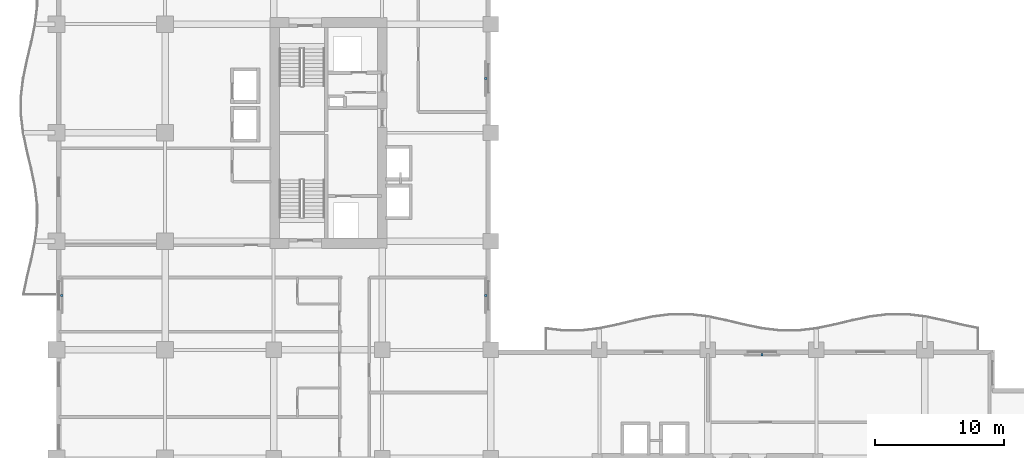
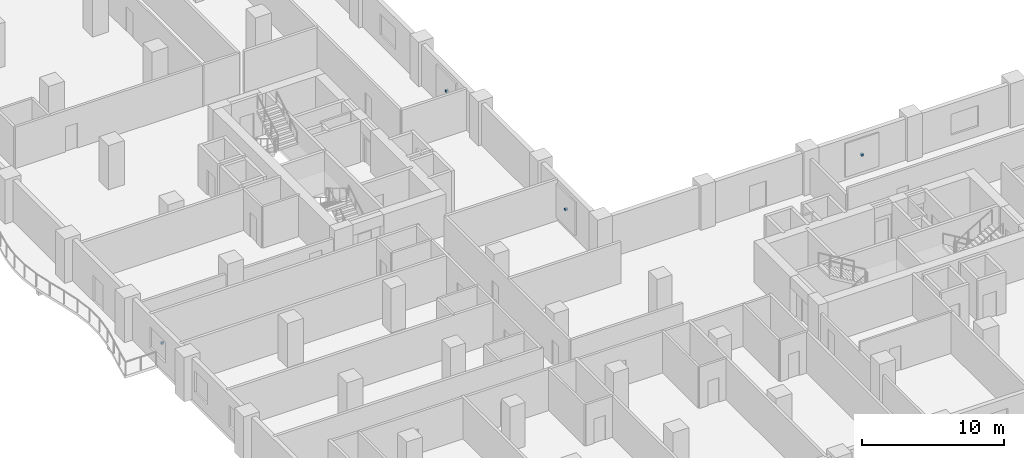
# One storey, part 13 of 18: 4 discrete accessories.
"""IFC4 building model written with IfcOpenShell, lengths in metres."""

from ifc_helpers import new_model, si_unit, direction, frame, origin, origin_2d, place, context, subcontext, project, spatial, rectangle, extrude, material, type_object, element, save


model = new_model("IFC4")

# Units and contexts
model_context = context("Model", 3, precision=1e-05, world=origin(), true_north=direction((0.0, 1.0)))
body_context = subcontext(model_context, "Body", "Model", "MODEL_VIEW")
ifc_project = project(units=[si_unit("LENGTHUNIT", "METRE"), si_unit("AREAUNIT", "SQUARE_METRE"), si_unit("VOLUMEUNIT", "CUBIC_METRE"), si_unit("PLANEANGLEUNIT", "RADIAN"), si_unit("MASSUNIT", "GRAM", prefix="KILO")], contexts=[model_context])

# Site, building, storey
site_placement = place(None, origin())
site = spatial("IfcSite", under=ifc_project, at=site_placement, CompositionType="ELEMENT")
building_placement = place(site_placement, origin())
building = spatial("IfcBuilding", under=site, at=building_placement, Name="Koriwani Terraces Tower", CompositionType="ELEMENT")
storey_placement = place(building_placement, frame((0.0, 0.0, 115.199951171875)))
storey = spatial("IfcBuildingStorey", under=building, at=storey_placement, Name="L27", CompositionType="ELEMENT", Elevation=115.199951171875)

# Discrete accessories
ifc_material = material(Name="Steel ASTM A572 Grade 50", Category="steel")
discrete_accessory_type = type_object("IfcDiscreteAccessoryType", Name="BAGUETTE_STANDOFF_BRACKET", PredefinedType="BRACKET", material=ifc_material)
for number, where, z_axis, x_axis, name in (
    (1, (0.389892578125, 37.800048828125, 1.68505859375), (0.0, 0.0, 1.0), (0.0, 1.0, 0.0), "L27 Terracotta Baguette Bracket (W-12)"),
    (2, (33.2099609375, 37.800048828125, 1.68505859375), (0.0, 0.0, 1.0), (0.0, -1.0, 0.0), "L27 Terracotta Baguette Bracket (NW_IN-2)"),
    (3, (33.2099609375, 54.60009765625, 1.68505859375), (0.0, 0.0, 1.0), (0.0, -1.0, 0.0), "L27 Terracotta Baguette Bracket (NW_IN-8)"),
    (4, (54.60009765625, 33.2099609375, 1.68505859375), (0.0, 0.0, 1.0), (1.0, 0.0, 0.0), "L27 Terracotta Baguette Bracket (NE-8)"),
):
    element("IfcDiscreteAccessory", number, at=place(storey_placement, frame(where, z_axis=z_axis, x_axis=x_axis)), inside=storey, type_object=discrete_accessory_type, Name=name, PredefinedType="BRACKET", context=body_context, shape_type="SweptSolid", body=[
        extrude(rectangle(XDim=0.159912109375, YDim=0.199951171875, at=origin_2d()), origin(), (0.0, 0.0, 1.0), 0.179931640625),
    ])

save(model, "model.ifc")
